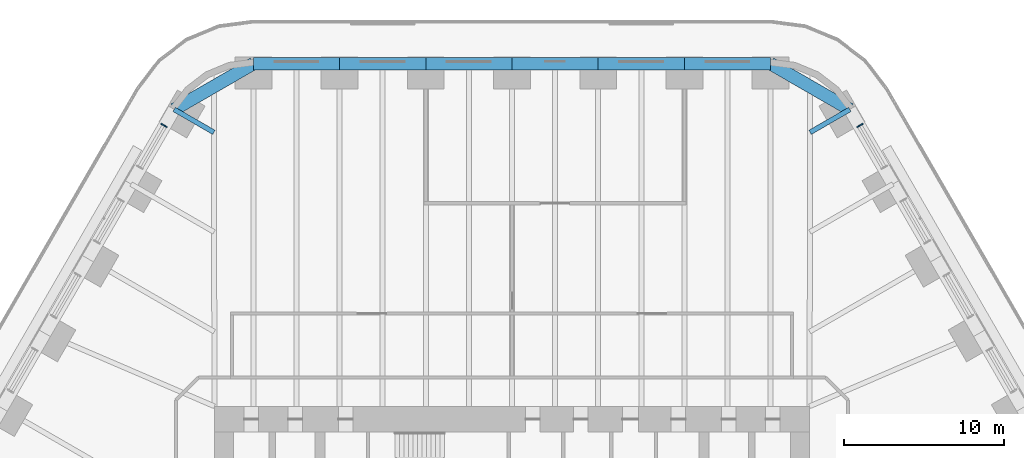
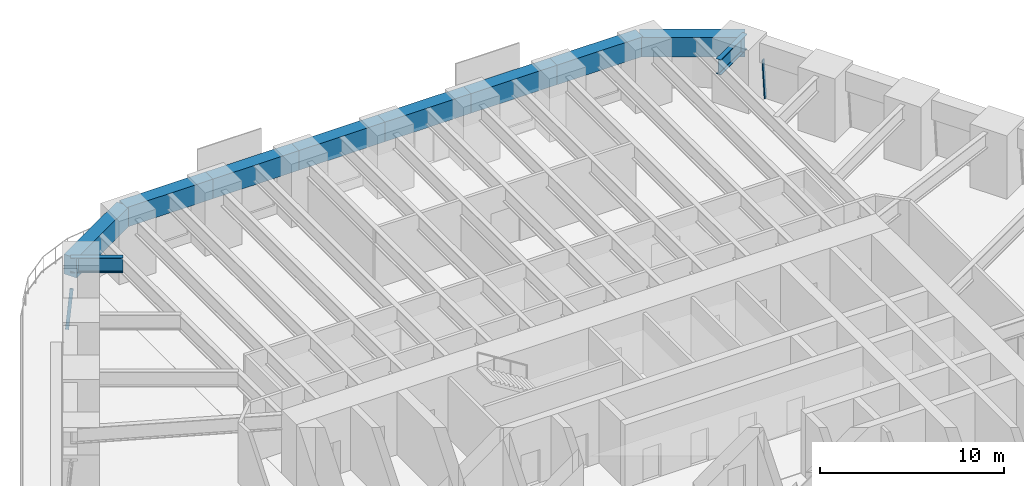
# One storey, part 14 of 23: 10 beams, 2 members, 2 elements without a shape of their own.
"""IFC4 building model written with IfcOpenShell, lengths in metres."""

import ifcopenshell
import ifcopenshell.guid

model = None  # the IFC model being written
_history = None  # IfcOwnerHistory: only IFC2X3 demands one
_inside = {}  # id of a spatial element -> (the spatial element, [elements in it])
_under = {}  # id of a project, library or spatial element -> (it, [spatial elements below it])
_declared = {}  # id of a project -> (the project, [libraries it declares])
_typed = {}  # id of a type object -> (the type object, [elements of that type])
_made_of = {}  # id of a material, layer set ... -> (it, [elements and type objects made of it])


def new_model(schema):
    """Start an empty IFC model of exactly this schema.

    Asked for "IFC4X3", IfcOpenShell would pick the latest addendum, in which some entities
    have other attributes; the version numbers below select the first issue.
    IFC2X3 requires an IfcOwnerHistory on every rooted entity: one is made here for all.
    """
    global model, _history
    if schema == "IFC4X3":
        model = ifcopenshell.file(schema_version=(4, 3, 0, 0))
    else:
        model = ifcopenshell.file(schema=schema)
    _inside.clear()
    _under.clear()
    _declared.clear()
    _typed.clear()
    _made_of.clear()
    _history = None
    if model.schema == "IFC2X3":
        org = make("IfcOrganization", Name="unknown")
        user = make(
            "IfcPersonAndOrganization",
            ThePerson=make("IfcPerson", FamilyName="unknown"),
            TheOrganization=org,
        )
        app = make(
            "IfcApplication",
            ApplicationDeveloper=org,
            Version="unknown",
            ApplicationFullName="unknown",
            ApplicationIdentifier="unknown",
        )
        _history = make(
            "IfcOwnerHistory",
            OwningUser=user,
            OwningApplication=app,
            ChangeAction="ADDED",
            CreationDate=0,
        )
    return model


def make(cls, **values):
    """One entity of the class cls with the attributes given. An attribute that is None is left unset."""
    return model.create_entity(
        cls, **{name: value for name, value in values.items() if value is not None}
    )


def rooted(cls, **values):
    """An entity with a GlobalId (a new one), such as an element, a storey or a relation."""
    return make(cls, GlobalId=ifcopenshell.guid.new(), OwnerHistory=_history, **values)


def si_unit(unit_type, name, prefix=None):
    """IfcSIUnit, for example si_unit("LENGTHUNIT", "METRE", prefix="MILLI")."""
    return make("IfcSIUnit", UnitType=unit_type, Prefix=prefix, Name=name)


def assignment(units):
    """IfcUnitAssignment: the units of a project."""
    return None if units is None else make("IfcUnitAssignment", Units=units)


def point(xyz):
    """IfcCartesianPoint."""
    return None if xyz is None else make("IfcCartesianPoint", Coordinates=xyz)


def direction(xyz):
    """IfcDirection."""
    return None if xyz is None else make("IfcDirection", DirectionRatios=xyz)


def frame(location, z_axis=None, x_axis=None):
    """IfcAxis2Placement3D, a coordinate frame: its origin and axes. An axis left out is left unset."""
    return make(
        "IfcAxis2Placement3D",
        Location=point(location),
        Axis=direction(z_axis),
        RefDirection=direction(x_axis),
    )


def frame_2d(location, x_axis=None):
    """IfcAxis2Placement2D, a coordinate frame in the plane: its origin and x axis."""
    return make(
        "IfcAxis2Placement2D", Location=point(location), RefDirection=direction(x_axis)
    )


def origin():
    """The frame at (0, 0, 0) with its axes left unset."""
    return frame((0.0, 0.0, 0.0))


def origin_2d():
    """The frame at (0, 0) in the plane with its x axis left unset."""
    return frame_2d((0.0, 0.0))


def place(relative_to, where):
    """IfcLocalPlacement: puts the frame where relative to a parent placement (None: the world)."""
    return make(
        "IfcLocalPlacement", PlacementRelTo=relative_to, RelativePlacement=where
    )


def context(
    kind, dimensions, precision=None, world=None, true_north=None, identifier=None
):
    """IfcGeometricRepresentationContext, for example the 3D "Model" context."""
    return make(
        "IfcGeometricRepresentationContext",
        ContextIdentifier=identifier,
        ContextType=kind,
        CoordinateSpaceDimension=dimensions,
        Precision=precision,
        WorldCoordinateSystem=world,
        TrueNorth=true_north,
    )


def subcontext(parent, identifier, kind, view, scale=None):
    """IfcGeometricRepresentationSubContext, for example "Body" below "Model"."""
    return make(
        "IfcGeometricRepresentationSubContext",
        ContextIdentifier=identifier,
        ContextType=kind,
        ParentContext=parent,
        TargetScale=scale,
        TargetView=view,
    )


def project(units=None, contexts=None):
    """IfcProject with its units and contexts."""
    return rooted(
        "IfcProject",
        Name="project",
        RepresentationContexts=contexts,
        UnitsInContext=assignment(units),
    )


def spatial(cls, under=None, at=None, **own):
    """A site, building, storey or space (cls), placed at a placement, below another one or the project."""
    s = rooted(cls, ObjectPlacement=at, **own)
    if under is not None:
        _under.setdefault(under.id(), (under, []))[1].append(s)
    return s


def profile(cls, at=None, kind="AREA", **sizes):
    """A parametric profile (cls). Its sizes go by their IFC names, for example OverallWidth=200.0."""
    return make(cls, ProfileType=kind, Position=at, **sizes)


def rectangle(**sizes):
    """IfcRectangleProfileDef."""
    return profile("IfcRectangleProfileDef", **sizes)


def i_section(**sizes):
    """IfcIShapeProfileDef."""
    return profile("IfcIShapeProfileDef", **sizes)


def extrude(swept, where, along, depth):
    """IfcExtrudedAreaSolid: the profile swept, set in the frame where, extruded along a direction by depth."""
    return make(
        "IfcExtrudedAreaSolid",
        SweptArea=swept,
        Position=where,
        ExtrudedDirection=direction(along),
        Depth=depth,
    )


def shape(context_of_items, identifier, shape_type, items):
    """IfcShapeRepresentation: the items that make up one representation, for example the "Body"."""
    return make(
        "IfcShapeRepresentation",
        ContextOfItems=context_of_items,
        RepresentationIdentifier=identifier,
        RepresentationType=shape_type,
        Items=items,
    )


def material(Name=None, Category=None):
    """IfcMaterial."""
    return make("IfcMaterial", Name=Name, Category=Category)


def material_profile(
    of_material, cross_section, Name=None, Category=None, Priority=None
):
    """IfcMaterialProfile: a cross section and its material."""
    return make(
        "IfcMaterialProfile",
        Name=Name,
        Material=of_material,
        Profile=cross_section,
        Priority=Priority,
        Category=Category,
    )


def profile_set(profiles, Name=None, composite=None):
    """IfcMaterialProfileSet."""
    return make(
        "IfcMaterialProfileSet",
        Name=Name,
        MaterialProfiles=profiles,
        CompositeProfile=composite,
    )


def made_of(thing, what):
    """Note that an element or type object is made of a material, layer set ...; save() writes the relation."""
    if what is not None:
        _made_of.setdefault(what.id(), (what, []))[1].append(thing)
    return thing


def type_object(cls, material=None, **own):
    """A type object (cls), such as IfcWallType, which elements share."""
    return made_of(rooted(cls, **own), material)


def element(
    cls,
    number,
    at=None,
    inside=None,
    cuts=None,
    type_object=None,
    material=None,
    context=None,
    identifier="Body",
    shape_type=None,
    held_by="IfcProductDefinitionShape",
    body=None,
    shapes=None,
    **own,
):
    """One element of the class cls, such as IfcWall. Its Tag is "e" and its number.

    at: its placement. inside: the storey or other place that contains it. cuts: it is an
    opening in that element (IfcRelVoidsElement). A single representation is given by context,
    identifier, shape_type and body (its items); several are given by shapes. held_by: the class
    of the entity that holds the representations. save() writes the other relations.
    """
    e = rooted(cls, Tag="e%d" % number, ObjectPlacement=at, **own)
    if body is not None:
        shapes = [shape(context, identifier, shape_type, body)]
    if shapes is not None:
        e.Representation = make(held_by, Representations=shapes)
    if inside is not None:
        _inside.setdefault(inside.id(), (inside, []))[1].append(e)
    if cuts is not None:
        rooted(
            "IfcRelVoidsElement", RelatingBuildingElement=cuts, RelatedOpeningElement=e
        )
    if type_object is not None:
        _typed.setdefault(type_object.id(), (type_object, []))[1].append(e)
    return made_of(e, material)


def aggregate(whole, parts):
    """IfcRelAggregates: a whole, such as a stair, and the parts it consists of."""
    return rooted("IfcRelAggregates", RelatingObject=whole, RelatedObjects=parts)


def save(model, path):
    """Write the relations noted so far, then the file.

    IfcRelAggregates (storeys below a building ...), IfcRelContainedInSpatialStructure (elements
    in a storey), IfcRelDefinesByType, IfcRelAssociatesMaterial and IfcRelDeclares: one each for
    every whole, place, type object, material and project.
    """
    for whole, parts in _under.values():
        aggregate(whole, parts)
    for where, things in _inside.values():
        rooted(
            "IfcRelContainedInSpatialStructure",
            RelatedElements=things,
            RelatingStructure=where,
        )
    for kind, things in _typed.values():
        rooted("IfcRelDefinesByType", RelatedObjects=things, RelatingType=kind)
    for what, things in _made_of.values():
        rooted("IfcRelAssociatesMaterial", RelatedObjects=things, RelatingMaterial=what)
    for by, libraries in _declared.values():
        rooted("IfcRelDeclares", RelatingContext=by, RelatedDefinitions=libraries)
    model.write(path)


model = new_model("IFC4")

# Units and contexts
model_context = context("Model", 3, precision=1e-05, world=origin(), true_north=direction((0.0, 1.0)))
body_context = subcontext(model_context, "Body", "Model", "MODEL_VIEW")
ifc_project = project(units=[si_unit("LENGTHUNIT", "METRE"), si_unit("AREAUNIT", "SQUARE_METRE"), si_unit("VOLUMEUNIT", "CUBIC_METRE"), si_unit("PLANEANGLEUNIT", "RADIAN"), si_unit("MASSUNIT", "GRAM", prefix="KILO")], contexts=[model_context])

# Site, building, storey
site_placement = place(None, origin())
site = spatial("IfcSite", under=ifc_project, at=site_placement, CompositionType="ELEMENT")
building_placement = place(site_placement, origin())
building = spatial("IfcBuilding", under=site, at=building_placement, Name="Tarfa Lantern Tower", CompositionType="ELEMENT")
storey_placement = place(building_placement, frame((0.0, 0.0, 27.699951171875)))
storey = spatial("IfcBuildingStorey", under=building, at=storey_placement, Name="L05", CompositionType="ELEMENT", Elevation=27.699951171875)

# Curtain wall, member
ifc_material_1 = material(Name="Aluminium framed curtain wall", Category="aluminium")
curtain_wall_type = type_object("IfcCurtainWallType", Name="CW1 CANTED GLAZING LOW ZONE 2700", PredefinedType="USERDEFINED", material=ifc_material_1)
curtain_wall_1_placement = place(storey_placement, origin())
curtain_wall_1 = element("IfcCurtainWall", 1, at=curtain_wall_1_placement, inside=storey, type_object=curtain_wall_type, Name="CW1 NE L05", ObjectType="CURTAIN WALL", PredefinedType="USERDEFINED")
ifc_material_2 = material(Name="Aluminium mullion", Category="aluminium")
ifc_material_profile_1 = material_profile(ifc_material_2, rectangle(XDim=0.06494140625, YDim=0.199951171875, at=origin_2d()), Name="AL MULLION 65x200")
ifc_profile_set_1 = profile_set([ifc_material_profile_1], Name="Aluminium mullion")
member_type = type_object("IfcMemberType", Name="CWM1 MULLION 65x200", PredefinedType="MULLION", material=ifc_profile_set_1)
member_1_placement = place(storey_placement, frame((21.86669921875, 29.926025390625, 0.0), z_axis=(-0.07986442134, -0.046099868913, 0.99573916077), x_axis=(0.499919672301, -0.866071776036, 0.0)))
member_1 = element("IfcMember", 2, at=member_1_placement, type_object=member_type, Name="CW1 mullion 2", PredefinedType="MULLION", context=body_context, shape_type="SweptSolid", body=[
    extrude(rectangle(XDim=0.06494140625, YDim=0.199951171875, at=origin_2d()), origin(), (0.0, 0.0, 1.0), 2.71142578125),
])
aggregate(curtain_wall_1, [member_1])

curtain_wall_2_placement = place(storey_placement, origin())
curtain_wall_2 = element("IfcCurtainWall", 3, at=curtain_wall_2_placement, inside=storey, type_object=curtain_wall_type, Name="CW1 NW L05", ObjectType="CURTAIN WALL", PredefinedType="USERDEFINED")
member_2_placement = place(storey_placement, frame((-21.86669921875, 29.926025390625, 0.0), z_axis=(0.07986442134, -0.046099868913, 0.99573916077), x_axis=(0.499919672301, 0.866071776036, 0.0)))
member_2 = element("IfcMember", 4, at=member_2_placement, type_object=member_type, Name="CW1 mullion 1", PredefinedType="MULLION", context=body_context, shape_type="SweptSolid", body=[
    extrude(rectangle(XDim=0.06494140625, YDim=0.199951171875, at=origin_2d()), origin(), (0.0, 0.0, 1.0), 2.71142578125),
])
aggregate(curtain_wall_2, [member_2])

# Beams
ifc_material_3 = material(Name="Concrete C80/95", Category="concrete")
ifc_material_profile_2 = material_profile(ifc_material_3, rectangle(XDim=0.800048828125, YDim=1.300048828125, at=origin_2d()), Name="RC 800x1300")
ifc_profile_set_2 = profile_set([ifc_material_profile_2], Name="Concrete C80/95")
beam_type_1 = type_object("IfcBeamType", Name="EB1 RC 800x1300", PredefinedType="SPANDREL", material=ifc_profile_set_2)
beam_1_placement = place(storey_placement, frame((21.119384765625, 30.860107421875, 3.35009765625), z_axis=(-0.866033479681, 0.499986011877, 0.0), x_axis=(-0.499986011877, -0.866033479681, 0.0)))
element("IfcBeam", 5, at=beam_1_placement, inside=storey, type_object=beam_type_1, Name="Edge beam NE6", PredefinedType="SPANDREL", context=body_context, shape_type="SweptSolid", body=[
    extrude(rectangle(XDim=0.800048828125, YDim=1.300048828125, at=origin_2d()), origin(), (0.0, 0.0, 1.0), 5.719970703125),
])
beam_2_placement = place(storey_placement, frame((16.165771484375, 33.719970703125, 3.35009765625), z_axis=(-1.0, 0.0, 0.0), x_axis=(0.0, -1.0, 0.0)))
element("IfcBeam", 6, at=beam_2_placement, inside=storey, type_object=beam_type_1, Name="Edge beam N0", PredefinedType="SPANDREL", context=body_context, shape_type="SweptSolid", body=[
    extrude(rectangle(XDim=0.800048828125, YDim=1.300048828125, at=origin_2d()), origin(), (0.0, 0.0, 1.0), 5.388671875),
])
beam_3_placement = place(storey_placement, frame((10.777099609375, 33.719970703125, 3.35009765625), z_axis=(-1.0, 0.0, 0.0), x_axis=(0.0, -1.0, 0.0)))
element("IfcBeam", 7, at=beam_3_placement, inside=storey, type_object=beam_type_1, Name="Edge beam N1", PredefinedType="SPANDREL", context=body_context, shape_type="SweptSolid", body=[
    extrude(rectangle(XDim=0.800048828125, YDim=1.300048828125, at=origin_2d()), origin(), (0.0, 0.0, 1.0), 5.388427734375),
])
for number, where, z_axis, x_axis, name in (
    (8, (5.388671875, 33.719970703125, 3.35009765625), (-1.0, 0.0, 0.0), (0.0, -1.0, 0.0), "Edge beam N2"),
    (9, (0.0, 33.719970703125, 3.35009765625), (-1.0, 0.0, 0.0), (0.0, -1.0, 0.0), "Edge beam N3"),
):
    element("IfcBeam", number, at=place(storey_placement, frame(where, z_axis=z_axis, x_axis=x_axis)), inside=storey, type_object=beam_type_1, Name=name, PredefinedType="SPANDREL", context=body_context, shape_type="SweptSolid", body=[
        extrude(rectangle(XDim=0.800048828125, YDim=1.300048828125, at=origin_2d()), origin(), (0.0, 0.0, 1.0), 5.388671875),
    ])
beam_4_placement = place(storey_placement, frame((-5.388671875, 33.719970703125, 3.35009765625), z_axis=(-1.0, 0.0, 0.0), x_axis=(0.0, -1.0, 0.0)))
element("IfcBeam", 10, at=beam_4_placement, inside=storey, type_object=beam_type_1, Name="Edge beam N4", PredefinedType="SPANDREL", context=body_context, shape_type="SweptSolid", body=[
    extrude(rectangle(XDim=0.800048828125, YDim=1.300048828125, at=origin_2d()), origin(), (0.0, 0.0, 1.0), 5.388427734375),
])
beam_5_placement = place(storey_placement, frame((-10.777099609375, 33.719970703125, 3.35009765625), z_axis=(-1.0, 0.0, 0.0), x_axis=(0.0, -1.0, 0.0)))
element("IfcBeam", 11, at=beam_5_placement, inside=storey, type_object=beam_type_1, Name="Edge beam N5", PredefinedType="SPANDREL", context=body_context, shape_type="SweptSolid", body=[
    extrude(rectangle(XDim=0.800048828125, YDim=1.300048828125, at=origin_2d()), origin(), (0.0, 0.0, 1.0), 5.388671875),
])
beam_6_placement = place(storey_placement, frame((-16.165771484375, 33.719970703125, 3.35009765625), z_axis=(-0.866033479681, -0.499986011877, 0.0), x_axis=(0.499986011877, -0.866033479681, 0.0)))
element("IfcBeam", 12, at=beam_6_placement, inside=storey, type_object=beam_type_1, Name="Edge beam N6", PredefinedType="SPANDREL", context=body_context, shape_type="SweptSolid", body=[
    extrude(rectangle(XDim=0.800048828125, YDim=1.300048828125, at=origin_2d()), origin(), (0.0, 0.0, 1.0), 5.719970703125),
])
ifc_material_4 = material(Name="Steel S460M", Category="steel")
ifc_material_profile_3 = material_profile(ifc_material_4, i_section(OverallWidth=0.302001953125, OverallDepth=1.008056640625, WebThickness=0.02099609375, FlangeThickness=0.0400390625, FilletRadius=0.030029296875, at=origin_2d()), Name="UB1016x305x349")
ifc_profile_set_3 = profile_set([ifc_material_profile_3], Name="Steel S460M")
beam_type_2 = type_object("IfcBeamType", Name="UB1016x305x349", PredefinedType="BEAM", material=ifc_profile_set_3)
for number, where, z_axis, x_axis, name in (
    (13, (21.119384765625, 30.860107421875, 3.49609375), (-0.866012580594, -0.500022209759, 0.0), (0.500022209759, -0.866012580594, 0.0), "Floor beam NE6"),
    (14, (-21.119384765625, 30.860107421875, 3.49609375), (0.866012580594, -0.500022209759, 0.0), (0.500022209759, 0.866012580594, 0.0), "Floor beam NW0"),
):
    element("IfcBeam", number, at=place(storey_placement, frame(where, z_axis=z_axis, x_axis=x_axis)), inside=storey, type_object=beam_type_2, Name=name, PredefinedType="BEAM", context=body_context, shape_type="SweptSolid", body=[
        extrude(i_section(OverallWidth=0.302001953125, OverallDepth=1.008056640625, WebThickness=0.02099609375, FlangeThickness=0.0400390625, FilletRadius=0.030029296875, at=origin_2d()), origin(), (0.0, 0.0, 1.0), 2.866943359375),
    ])

save(model, "model.ifc")
